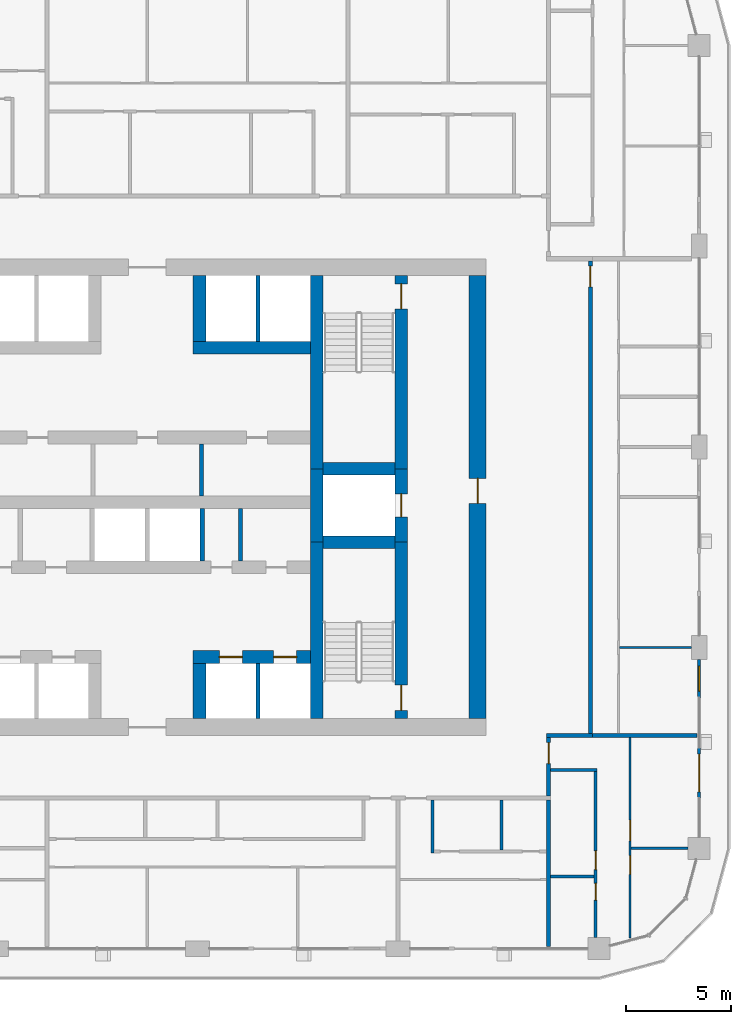
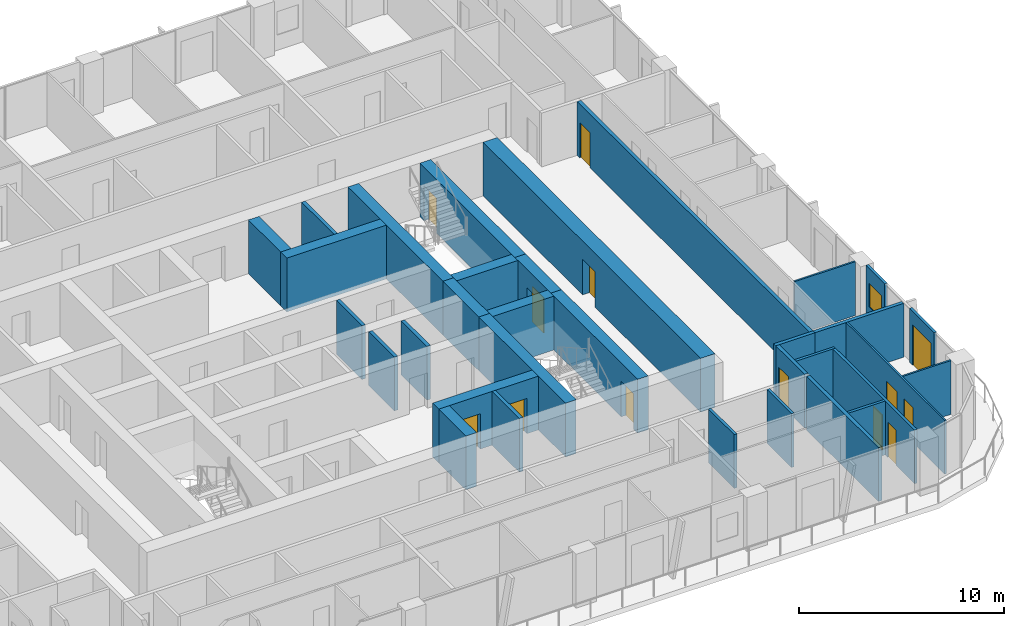
# One storey, part 12 of 22: 33 walls, 13 doors, 1 window, 14 openings.
"""IFC4 building model written with IfcOpenShell, lengths in metres."""

from ifc_helpers import new_model, si_unit, direction, frame, frame_2d, origin, place, context, subcontext, project, spatial, rectangle, extrude, material, layer, layer_set, type_object, element, fill, save


model = new_model("IFC4")

# Units and contexts
model_context = context("Model", 3, precision=1e-05, world=origin(), true_north=direction((0.0, 1.0)))
body_context = subcontext(model_context, "Body", "Model", "MODEL_VIEW")
ifc_project = project(units=[si_unit("LENGTHUNIT", "METRE"), si_unit("AREAUNIT", "SQUARE_METRE"), si_unit("VOLUMEUNIT", "CUBIC_METRE"), si_unit("PLANEANGLEUNIT", "RADIAN"), si_unit("MASSUNIT", "GRAM", prefix="KILO")], contexts=[model_context])

# Site, building, storey
site_placement = place(None, origin())
site = spatial("IfcSite", under=ifc_project, at=site_placement, CompositionType="ELEMENT")
building_placement = place(site_placement, origin())
building = spatial("IfcBuilding", under=site, at=building_placement, Name="Madar Terraces", CompositionType="ELEMENT")
storey_placement = place(building_placement, frame((0.0, 0.0, 122.60009765625)))
storey = spatial("IfcBuildingStorey", under=building, at=storey_placement, Name="L31", CompositionType="ELEMENT", Elevation=122.60009765625)

# Walls
ifc_material_1 = material(Name="Concrete C70/85", Category="concrete")
ifc_layer_1 = layer(ifc_material_1, 0.60009765625)
ifc_layer_set_1 = layer_set([ifc_layer_1], Name="Concrete C70/85 (CIW3 RC wall 600)")
wall_type_1 = type_object("IfcWallType", Name="CIW3 RC wall 600", PredefinedType="SHEAR", material=ifc_layer_set_1)
wall_1_placement = place(storey_placement, frame((39.300048828125, 15.800048828125, 0.0), z_axis=(0.0, 0.0, 1.0), x_axis=(0.0, 1.0, 0.0)))
element("IfcWall", 1, at=wall_1_placement, inside=storey, type_object=wall_type_1, Name="CORE SHAFT WALL", PredefinedType="SHEAR", context=body_context, shape_type="SweptSolid", body=[
    extrude(rectangle(XDim=8.449951171875, YDim=0.60009765625, at=frame_2d((4.22509765625, 0.0))), origin(), (0.0, 0.0, 1.0), 3.199951171875),
])
wall_2_placement = place(storey_placement, frame((39.300048828125, 24.25, 0.0), z_axis=(0.0, 0.0, 1.0), x_axis=(0.0, 1.0, 0.0)))
element("IfcWall", 2, at=wall_2_placement, inside=storey, type_object=wall_type_1, Name="CORE SHAFT WALL", PredefinedType="SHEAR", context=body_context, shape_type="SweptSolid", body=[
    extrude(rectangle(XDim=3.5, YDim=0.60009765625, at=frame_2d((1.75, 0.0))), origin(), (0.0, 0.0, 1.0), 3.199951171875),
])
wall_3_placement = place(storey_placement, frame((39.300048828125, 27.75, 0.0), z_axis=(0.0, 0.0, 1.0), x_axis=(0.0, 1.0, 0.0)))
element("IfcWall", 3, at=wall_3_placement, inside=storey, type_object=wall_type_1, Name="CORE SHAFT WALL", PredefinedType="SHEAR", context=body_context, shape_type="SweptSolid", body=[
    extrude(rectangle(XDim=9.25, YDim=0.60009765625, at=frame_2d((4.625, 0.0))), origin(), (0.0, 0.0, 1.0), 3.199951171875),
])

# Wall, opening, door
wall_4_placement = place(storey_placement, frame((43.35009765625, 15.800048828125, 0.0), z_axis=(0.0, 0.0, 1.0), x_axis=(0.0, 1.0, 0.0)))
wall_4 = element("IfcWall", 4, at=wall_4_placement, inside=storey, type_object=wall_type_1, Name="CORE SHAFT WALL", PredefinedType="SHEAR", context=body_context, shape_type="SweptSolid", body=[
    extrude(rectangle(XDim=8.449951171875, YDim=0.60009765625, at=frame_2d((4.22509765625, 0.0))), origin(), (0.0, 0.0, 1.0), 3.199951171875),
])
opening_1_placement = place(wall_4_placement, frame((0.39990234375, 0.0, 0.0)))
opening_1 = element("IfcOpeningElement", 5, at=opening_1_placement, cuts=wall_4, Name="Opening SD1", PredefinedType="OPENING", context=body_context, shape_type="SweptSolid", body=[
    extrude(rectangle(XDim=1.199951171875, YDim=2.10009765625, at=frame_2d((0.60009765625, 1.050048828125))), frame((0.0, 0.31005859375, 0.0), z_axis=(0.0, -1.0, 0.0), x_axis=(1.0, 0.0, 0.0)), (0.0, 0.0, 1.0), 0.6201171875),
])
ifc_material_2 = material(Name="Steel door leaf", Category="steel")
door_type_1 = type_object("IfcDoorType", Name="Stair door 1200 x 2100", OperationType="NOTDEFINED", PredefinedType="DOOR", material=ifc_material_2)
door_1_placement = place(opening_1_placement, origin())
door_1 = element("IfcDoor", 6, at=door_1_placement, inside=storey, type_object=door_type_1, Name="STAIR DOOR", OperationType="SINGLE_SWING_RIGHT", OverallHeight=2.10009765625, OverallWidth=1.199951171875, PredefinedType="DOOR", context=body_context, shape_type="SweptSolid", body=[
    extrude(rectangle(XDim=1.199951171875, YDim=2.10009765625, at=frame_2d((0.60009765625, 1.050048828125))), frame((0.0, 0.02490234375, 0.0), z_axis=(0.0, -1.0, 0.0), x_axis=(1.0, 0.0, 0.0)), (0.0, 0.0, 1.0), 0.050048828125),
])
fill(opening_1, door_1)

wall_5_placement = place(storey_placement, frame((43.35009765625, 24.25, 0.0), z_axis=(0.0, 0.0, 1.0), x_axis=(0.0, 1.0, 0.0)))
wall_5 = element("IfcWall", 7, at=wall_5_placement, inside=storey, type_object=wall_type_1, Name="CORE SHAFT WALL", PredefinedType="SHEAR", context=body_context, shape_type="SweptSolid", body=[
    extrude(rectangle(XDim=3.5, YDim=0.60009765625, at=frame_2d((1.75, 0.0))), origin(), (0.0, 0.0, 1.0), 3.199951171875),
])
opening_2_placement = place(wall_5_placement, frame((1.199951171875, 0.0, 0.0)))
opening_2 = element("IfcOpeningElement", 8, at=opening_2_placement, cuts=wall_5, Name="Opening LD", PredefinedType="OPENING", context=body_context, shape_type="SweptSolid", body=[
    extrude(rectangle(XDim=1.10009765625, YDim=2.10009765625, at=frame_2d((0.550048828125, 1.050048828125))), frame((0.0, 0.31005859375, 0.0), z_axis=(0.0, -1.0, 0.0), x_axis=(1.0, 0.0, 0.0)), (0.0, 0.0, 1.0), 0.6201171875),
])
ifc_material_3 = material(Name="Stainless steel panel", Category="steel")
door_type_2 = type_object("IfcDoorType", Name="Lift landing door 1100 x 2100", OperationType="DOUBLE_DOOR_SLIDING", PredefinedType="DOOR", material=ifc_material_3)
door_2_placement = place(opening_2_placement, origin())
door_2 = element("IfcDoor", 9, at=door_2_placement, inside=storey, type_object=door_type_2, Name="LIFT LANDING DOOR", OperationType="DOUBLE_DOOR_SLIDING", OverallHeight=2.10009765625, OverallWidth=1.10009765625, PredefinedType="DOOR", context=body_context, shape_type="SweptSolid", body=[
    extrude(rectangle(XDim=1.10009765625, YDim=2.10009765625, at=frame_2d((0.550048828125, 1.050048828125))), frame((0.0, 0.02490234375, 0.0), z_axis=(0.0, -1.0, 0.0), x_axis=(1.0, 0.0, 0.0)), (0.0, 0.0, 1.0), 0.050048828125),
])
fill(opening_2, door_2)

wall_6_placement = place(storey_placement, frame((43.35009765625, 27.75, 0.0), z_axis=(0.0, 0.0, 1.0), x_axis=(0.0, 1.0, 0.0)))
wall_6 = element("IfcWall", 10, at=wall_6_placement, inside=storey, type_object=wall_type_1, Name="CORE SHAFT WALL", PredefinedType="SHEAR", context=body_context, shape_type="SweptSolid", body=[
    extrude(rectangle(XDim=9.25, YDim=0.60009765625, at=frame_2d((4.625, 0.0))), origin(), (0.0, 0.0, 1.0), 3.199951171875),
])
opening_3_placement = place(wall_6_placement, frame((7.64990234375, 0.0, 0.0)))
opening_3 = element("IfcOpeningElement", 11, at=opening_3_placement, cuts=wall_6, Name="Opening SD1", PredefinedType="OPENING", context=body_context, shape_type="SweptSolid", body=[
    extrude(rectangle(XDim=1.199951171875, YDim=2.10009765625, at=frame_2d((0.60009765625, 1.050048828125))), frame((0.0, 0.31005859375, 0.0), z_axis=(0.0, -1.0, 0.0), x_axis=(1.0, 0.0, 0.0)), (0.0, 0.0, 1.0), 0.6201171875),
])
door_3_placement = place(opening_3_placement, origin())
door_3 = element("IfcDoor", 12, at=door_3_placement, inside=storey, type_object=door_type_1, Name="STAIR DOOR", OperationType="SINGLE_SWING_LEFT", OverallHeight=2.10009765625, OverallWidth=1.199951171875, PredefinedType="DOOR", context=body_context, shape_type="SweptSolid", body=[
    extrude(rectangle(XDim=1.199951171875, YDim=2.10009765625, at=frame_2d((0.60009765625, 1.050048828125))), frame((0.0, 0.02490234375, 0.0), z_axis=(0.0, -1.0, 0.0), x_axis=(1.0, 0.0, 0.0)), (0.0, 0.0, 1.0), 0.050048828125),
])
fill(opening_3, door_3)

# Walls
for number, where, z_axis, x_axis, name in (
    (13, (39.60009765625, 24.25, 0.0), (0.0, 0.0, 1.0), (1.0, 0.0, 0.0), "CORE SHAFT WALL"),
    (14, (39.60009765625, 27.75, 0.0), (0.0, 0.0, 1.0), (1.0, 0.0, 0.0), "CORE SHAFT WALL"),
):
    element("IfcWall", number, at=place(storey_placement, frame(where, z_axis=z_axis, x_axis=x_axis)), inside=storey, type_object=wall_type_1, Name=name, PredefinedType="SHEAR", context=body_context, shape_type="SweptSolid", body=[
        extrude(rectangle(XDim=3.449951171875, YDim=0.60009765625, at=frame_2d((1.72509765625, 0.0))), origin(), (0.0, 0.0, 1.0), 3.199951171875),
    ])

# Wall, openings, doors
wall_7_placement = place(storey_placement, frame((33.39990234375, 18.75, 0.0), z_axis=(0.0, 0.0, 1.0), x_axis=(1.0, 0.0, 0.0)))
wall_7 = element("IfcWall", 15, at=wall_7_placement, inside=storey, type_object=wall_type_1, Name="CORE SHAFT WALL", PredefinedType="SHEAR", context=body_context, shape_type="SweptSolid", body=[
    extrude(rectangle(XDim=5.60009765625, YDim=0.60009765625, at=frame_2d((2.800048828125, 0.0))), origin(), (0.0, 0.0, 1.0), 3.199951171875),
])
opening_4_placement = place(wall_7_placement, frame((1.25, 0.0, 0.0)))
opening_4 = element("IfcOpeningElement", 16, at=opening_4_placement, cuts=wall_7, Name="Opening LD", PredefinedType="OPENING", context=body_context, shape_type="SweptSolid", body=[
    extrude(rectangle(XDim=1.10009765625, YDim=2.10009765625, at=frame_2d((0.550048828125, 1.050048828125))), frame((0.0, 0.31005859375, 0.0), z_axis=(0.0, -1.0, 0.0), x_axis=(1.0, 0.0, 0.0)), (0.0, 0.0, 1.0), 0.6201171875),
])
opening_5_placement = place(wall_7_placement, frame((3.85009765625, 0.0, 0.0)))
opening_5 = element("IfcOpeningElement", 17, at=opening_5_placement, cuts=wall_7, Name="Opening LD", PredefinedType="OPENING", context=body_context, shape_type="SweptSolid", body=[
    extrude(rectangle(XDim=1.10009765625, YDim=2.10009765625, at=frame_2d((0.550048828125, 1.050048828125))), frame((0.0, 0.31005859375, 0.0), z_axis=(0.0, -1.0, 0.0), x_axis=(1.0, 0.0, 0.0)), (0.0, 0.0, 1.0), 0.6201171875),
])
door_4_placement = place(opening_4_placement, origin())
door_4 = element("IfcDoor", 18, at=door_4_placement, inside=storey, type_object=door_type_2, Name="LIFT LANDING DOOR", OperationType="DOUBLE_DOOR_SLIDING", OverallHeight=2.10009765625, OverallWidth=1.10009765625, PredefinedType="DOOR", context=body_context, shape_type="SweptSolid", body=[
    extrude(rectangle(XDim=1.10009765625, YDim=2.10009765625, at=frame_2d((0.550048828125, 1.050048828125))), frame((0.0, 0.02490234375, 0.0), z_axis=(0.0, -1.0, 0.0), x_axis=(1.0, 0.0, 0.0)), (0.0, 0.0, 1.0), 0.050048828125),
])
fill(opening_4, door_4)
door_5_placement = place(opening_5_placement, origin())
door_5 = element("IfcDoor", 19, at=door_5_placement, inside=storey, type_object=door_type_2, Name="LIFT LANDING DOOR", OperationType="DOUBLE_DOOR_SLIDING", OverallHeight=2.10009765625, OverallWidth=1.10009765625, PredefinedType="DOOR", context=body_context, shape_type="SweptSolid", body=[
    extrude(rectangle(XDim=1.10009765625, YDim=2.10009765625, at=frame_2d((0.550048828125, 1.050048828125))), frame((0.0, 0.02490234375, 0.0), z_axis=(0.0, -1.0, 0.0), x_axis=(1.0, 0.0, 0.0)), (0.0, 0.0, 1.0), 0.050048828125),
])
fill(opening_5, door_5)

# Walls
wall_8_placement = place(storey_placement, frame((33.39990234375, 33.550048828125, 0.0), z_axis=(0.0, 0.0, 1.0), x_axis=(1.0, 0.0, 0.0)))
element("IfcWall", 20, at=wall_8_placement, inside=storey, type_object=wall_type_1, Name="CORE SHAFT WALL", PredefinedType="SHEAR", context=body_context, shape_type="SweptSolid", body=[
    extrude(rectangle(XDim=5.60009765625, YDim=0.60009765625, at=frame_2d((2.800048828125, 0.0))), origin(), (0.0, 0.0, 1.0), 3.199951171875),
])
wall_9_placement = place(storey_placement, frame((33.699951171875, 15.800048828125, 0.0), z_axis=(0.0, 0.0, 1.0), x_axis=(0.0, 1.0, 0.0)))
element("IfcWall", 21, at=wall_9_placement, inside=storey, type_object=wall_type_1, Name="CORE SHAFT WALL", PredefinedType="SHEAR", context=body_context, shape_type="SweptSolid", body=[
    extrude(rectangle(XDim=2.64990234375, YDim=0.60009765625, at=frame_2d((1.324951171875, 0.0))), origin(), (0.0, 0.0, 1.0), 3.199951171875),
])
wall_10_placement = place(storey_placement, frame((33.699951171875, 33.85009765625, 0.0), z_axis=(0.0, 0.0, 1.0), x_axis=(0.0, 1.0, 0.0)))
element("IfcWall", 22, at=wall_10_placement, inside=storey, type_object=wall_type_1, Name="CORE SHAFT WALL", PredefinedType="SHEAR", context=body_context, shape_type="SweptSolid", body=[
    extrude(rectangle(XDim=3.14990234375, YDim=0.60009765625, at=frame_2d((1.574951171875, 0.0))), origin(), (0.0, 0.0, 1.0), 3.199951171875),
])

# Wall, opening, door
ifc_material_4 = material(Name="Concrete C70/85", Category="concrete")
ifc_layer_2 = layer(ifc_material_4, 0.800048828125)
ifc_layer_set_2 = layer_set([ifc_layer_2], Name="Concrete C70/85 (CRW3 RC wall 800)")
wall_type_2 = type_object("IfcWallType", Name="CRW3 RC wall 800", PredefinedType="SHEAR", material=ifc_layer_set_2)
wall_11_placement = place(storey_placement, frame((47.0, 15.800048828125, 0.0), z_axis=(0.0, 0.0, 1.0), x_axis=(0.0, 1.0, 0.0)))
wall_11 = element("IfcWall", 23, at=wall_11_placement, inside=storey, type_object=wall_type_2, Name="CORE OUTER WALL", PredefinedType="SHEAR", context=body_context, shape_type="SweptSolid", body=[
    extrude(rectangle(XDim=21.199951171875, YDim=0.800048828125, at=frame_2d((10.60009765625, 0.0))), origin(), (0.0, 0.0, 1.0), 3.199951171875),
])
opening_6_placement = place(wall_11_placement, frame((10.300048828125, 0.0, 0.0)))
opening_6 = element("IfcOpeningElement", 24, at=opening_6_placement, cuts=wall_11, Name="Opening SD1", PredefinedType="OPENING", context=body_context, shape_type="SweptSolid", body=[
    extrude(rectangle(XDim=1.199951171875, YDim=2.10009765625, at=frame_2d((0.60009765625, 1.050048828125))), frame((0.0, 0.409912109375, 0.0), z_axis=(0.0, -1.0, 0.0), x_axis=(1.0, 0.0, 0.0)), (0.0, 0.0, 1.0), 0.820068359375),
])
door_6_placement = place(opening_6_placement, origin())
door_6 = element("IfcDoor", 25, at=door_6_placement, inside=storey, type_object=door_type_1, Name="STAIR DOOR", OperationType="SINGLE_SWING_LEFT", OverallHeight=2.10009765625, OverallWidth=1.199951171875, PredefinedType="DOOR", context=body_context, shape_type="SweptSolid", body=[
    extrude(rectangle(XDim=1.199951171875, YDim=2.10009765625, at=frame_2d((0.60009765625, 1.050048828125))), frame((0.0, 0.02490234375, 0.0), z_axis=(0.0, -1.0, 0.0), x_axis=(1.0, 0.0, 0.0)), (0.0, 0.0, 1.0), 0.050048828125),
])
fill(opening_6, door_6)

# Walls
ifc_material_5 = material(Name="Masonry blockwork", Category="masonry")
ifc_layer_3 = layer(ifc_material_5, 0.199951171875)
ifc_layer_set_3 = layer_set([ifc_layer_3], Name="Core partition 200 blockwork")
wall_type_3 = type_object("IfcWallType", Name="Core partition 200 blockwork", PredefinedType="PARTITIONING", material=ifc_layer_set_3)
for number, where, z_axis, x_axis, name in (
    (26, (35.656005859375, 23.35009765625, 0.0), (0.0, 0.0, 1.0), (0.0, 1.0, 0.0), "SERVICE ROOM PARTITION"),
    (27, (33.800048828125, 26.449951171875, 0.0), (0.0, 0.0, 1.0), (0.0, 1.0, 0.0), "SERVICE ROOM PARTITION"),
):
    element("IfcWall", number, at=place(storey_placement, frame(where, z_axis=z_axis, x_axis=x_axis)), inside=storey, type_object=wall_type_3, Name=name, PredefinedType="PARTITIONING", context=body_context, shape_type="SweptSolid", body=[
        extrude(rectangle(XDim=2.5, YDim=0.199951171875, at=frame_2d((1.25, 0.0))), origin(), (0.0, 0.0, 1.0), 3.199951171875),
    ])
ifc_material_6 = material(Name="Concrete C40/50", Category="concrete")
ifc_layer_4 = layer(ifc_material_6, 0.199951171875)
ifc_layer_set_4 = layer_set([ifc_layer_4], Name="Core shaft dividing wall 200 C40/50")
wall_type_4 = type_object("IfcWallType", Name="Core shaft dividing wall 200 C40/50", PredefinedType="SOLIDWALL", material=ifc_layer_set_4)
wall_12_placement = place(storey_placement, frame((33.833251953125, 23.35009765625, 0.0), z_axis=(0.0, 0.0, 1.0), x_axis=(0.0, 1.0, 0.0)))
element("IfcWall", 28, at=wall_12_placement, inside=storey, type_object=wall_type_4, Name="SHAFT DIVIDING WALL", PredefinedType="SOLIDWALL", context=body_context, shape_type="SweptSolid", body=[
    extrude(rectangle(XDim=2.5, YDim=0.199951171875, at=frame_2d((1.25, 0.0))), origin(), (0.0, 0.0, 1.0), 3.199951171875),
])
wall_13_placement = place(storey_placement, frame((36.5, 15.800048828125, 0.0), z_axis=(0.0, 0.0, 1.0), x_axis=(0.0, 1.0, 0.0)))
element("IfcWall", 29, at=wall_13_placement, inside=storey, type_object=wall_type_4, Name="SHAFT DIVIDING WALL", PredefinedType="SOLIDWALL", context=body_context, shape_type="SweptSolid", body=[
    extrude(rectangle(XDim=2.64990234375, YDim=0.199951171875, at=frame_2d((1.324951171875, 0.0))), origin(), (0.0, 0.0, 1.0), 3.199951171875),
])
wall_14_placement = place(storey_placement, frame((36.5, 33.85009765625, 0.0), z_axis=(0.0, 0.0, 1.0), x_axis=(0.0, 1.0, 0.0)))
element("IfcWall", 30, at=wall_14_placement, inside=storey, type_object=wall_type_4, Name="SHAFT DIVIDING WALL", PredefinedType="SOLIDWALL", context=body_context, shape_type="SweptSolid", body=[
    extrude(rectangle(XDim=3.14990234375, YDim=0.199951171875, at=frame_2d((1.574951171875, 0.0))), origin(), (0.0, 0.0, 1.0), 3.199951171875),
])

# Wall, opening, door
ifc_material_7 = material(Name="Aluminium composite panel, black, over insulated backing", Category="aluminium")
ifc_layer_5 = layer(ifc_material_7, 0.14990234375)
ifc_layer_set_5 = layer_set([ifc_layer_5], Name="Facade bay panel 150")
wall_type_5 = type_object("IfcWallType", Name="Facade bay panel 150", PredefinedType="SOLIDWALL", material=ifc_layer_set_5)
wall_15_placement = place(storey_placement, frame((57.60009765625, 12.0, 0.0), z_axis=(0.0, 0.0, 1.0), x_axis=(0.0, 1.0, 0.0)))
wall_15 = element("IfcWall", 31, at=wall_15_placement, inside=storey, type_object=wall_type_5, Name="Facade bay panel", PredefinedType="SOLIDWALL", context=body_context, shape_type="SweptSolid", body=[
    extrude(rectangle(XDim=2.39990234375, YDim=0.14990234375, at=frame_2d((1.199951171875, 0.0))), origin(), (0.0, 0.0, 1.0), 3.199951171875),
])
opening_7_placement = place(wall_15_placement, frame((0.300048828125, 0.0, 0.0)))
opening_7 = element("IfcOpeningElement", 32, at=opening_7_placement, cuts=wall_15, Name="Opening ED1", PredefinedType="OPENING", context=body_context, shape_type="SweptSolid", body=[
    extrude(rectangle(XDim=1.800048828125, YDim=2.39990234375, at=frame_2d((0.89990234375, 1.199951171875))), frame((0.0, 0.0849609375, 0.0), z_axis=(0.0, -1.0, 0.0), x_axis=(1.0, 0.0, 0.0)), (0.0, 0.0, 1.0), 0.169921875),
])
ifc_material_8 = material(Name="Glass, clear, with black aluminium frame", Category="aluminium")
door_type_3 = type_object("IfcDoorType", Name="Balcony and terrace sliding door 1800 x 2400", OperationType="SLIDING_TO_LEFT", PredefinedType="DOOR", material=ifc_material_8)
door_7_placement = place(opening_7_placement, origin())
door_7 = element("IfcDoor", 33, at=door_7_placement, inside=storey, type_object=door_type_3, Name="Balcony door", OperationType="SLIDING_TO_LEFT", OverallHeight=2.39990234375, OverallWidth=1.800048828125, PredefinedType="DOOR", context=body_context, shape_type="SweptSolid", body=[
    extrude(rectangle(XDim=1.800048828125, YDim=2.39990234375, at=frame_2d((0.89990234375, 1.199951171875))), frame((0.0, 0.02490234375, 0.0), z_axis=(0.0, -1.0, 0.0), x_axis=(1.0, 0.0, 0.0)), (0.0, 0.0, 1.0), 0.050048828125),
])
fill(opening_7, door_7)

# Wall, opening, window
wall_16_placement = place(storey_placement, frame((57.60009765625, 16.800048828125, 0.0), z_axis=(0.0, 0.0, 1.0), x_axis=(0.0, 1.0, 0.0)))
wall_16 = element("IfcWall", 34, at=wall_16_placement, inside=storey, type_object=wall_type_5, Name="Facade bay panel", PredefinedType="SOLIDWALL", context=body_context, shape_type="SweptSolid", body=[
    extrude(rectangle(XDim=1.824951171875, YDim=0.14990234375, at=frame_2d((0.91259765625, 0.0))), origin(), (0.0, 0.0, 1.0), 3.199951171875),
])
opening_8_placement = place(wall_16_placement, frame((0.3125, 0.0, 0.89990234375)))
opening_8 = element("IfcOpeningElement", 35, at=opening_8_placement, cuts=wall_16, Name="Opening W1", PredefinedType="OPENING", context=body_context, shape_type="SweptSolid", body=[
    extrude(rectangle(XDim=1.199951171875, YDim=1.39990234375, at=frame_2d((0.60009765625, 0.699951171875))), frame((0.0, 0.0849609375, 0.0), z_axis=(0.0, -1.0, 0.0), x_axis=(1.0, 0.0, 0.0)), (0.0, 0.0, 1.0), 0.169921875),
])
ifc_material_9 = material(Name="Glass, clear, with black aluminium frame", Category="aluminium")
window_type = type_object("IfcWindowType", Name="Vent window 1200 x 1400", PartitioningType="SINGLE_PANEL", PredefinedType="WINDOW", material=ifc_material_9)
window_placement = place(opening_8_placement, origin())
window = element("IfcWindow", 36, at=window_placement, inside=storey, type_object=window_type, Name="Operable vent window", OverallHeight=1.39990234375, OverallWidth=1.199951171875, PartitioningType="SINGLE_PANEL", PredefinedType="WINDOW", context=body_context, shape_type="SweptSolid", body=[
    extrude(rectangle(XDim=1.199951171875, YDim=1.39990234375, at=frame_2d((0.60009765625, 0.699951171875))), frame((0.0, 0.030029296875, 0.0), z_axis=(0.0, -1.0, 0.0), x_axis=(1.0, 0.0, 0.0)), (0.0, 0.0, 1.0), 0.06005859375),
])
fill(opening_8, window)

# Wall
ifc_material_10 = material(Name="Gypsum board on steel studs", Category="steel")
ifc_layer_6 = layer(ifc_material_10, 0.10009765625)
ifc_layer_set_6 = layer_set([ifc_layer_6], Name="Flat partition 100")
wall_type_6 = type_object("IfcWallType", Name="Flat partition 100", PredefinedType="PARTITIONING", material=ifc_layer_set_6)
wall_17_placement = place(storey_placement, frame((54.35009765625, 9.60009765625, 0.0), z_axis=(0.0, 0.0, 1.0), x_axis=(1.0, 0.0, 0.0)))
element("IfcWall", 37, at=wall_17_placement, inside=storey, type_object=wall_type_6, Name="Flat partition 100", PredefinedType="PARTITIONING", context=body_context, shape_type="SweptSolid", body=[
    extrude(rectangle(XDim=2.724853515625, YDim=0.10009765625, at=frame_2d((1.3623046875, 0.0))), origin(), (0.0, 0.0, 1.0), 3.199951171875),
])

# Wall, openings, doors
wall_18_placement = place(storey_placement, frame((54.300048828125, 14.89990234375, 0.0), z_axis=(0.0, 0.0, 1.0), x_axis=(0.0, -1.0, 0.0)))
wall_18 = element("IfcWall", 38, at=wall_18_placement, inside=storey, type_object=wall_type_6, Name="Flat partition 100", PredefinedType="PARTITIONING", context=body_context, shape_type="SweptSolid", body=[
    extrude(rectangle(XDim=9.597900390625, YDim=0.10009765625, at=frame_2d((4.798828125, 0.0))), origin(), (0.0, 0.0, 1.0), 3.199951171875),
])
opening_9_placement = place(wall_18_placement, frame((3.949951171875, 0.0, 0.0)))
opening_9 = element("IfcOpeningElement", 39, at=opening_9_placement, cuts=wall_18, Name="Opening D3", PredefinedType="OPENING", context=body_context, shape_type="SweptSolid", body=[
    extrude(rectangle(XDim=1.0, YDim=2.10009765625, at=frame_2d((0.5, 1.050048828125))), frame((0.0, 0.06005859375, 0.0), z_axis=(0.0, -1.0, 0.0), x_axis=(1.0, 0.0, 0.0)), (0.0, 0.0, 1.0), 0.1201171875),
])
opening_10_placement = place(wall_18_placement, frame((5.64990234375, 0.0, 0.0)))
opening_10 = element("IfcOpeningElement", 40, at=opening_10_placement, cuts=wall_18, Name="Opening D2", PredefinedType="OPENING", context=body_context, shape_type="SweptSolid", body=[
    extrude(rectangle(XDim=0.89990234375, YDim=2.10009765625, at=frame_2d((0.449951171875, 1.050048828125))), frame((0.0, 0.06005859375, 0.0), z_axis=(0.0, -1.0, 0.0), x_axis=(1.0, 0.0, 0.0)), (0.0, 0.0, 1.0), 0.1201171875),
])
ifc_material_11 = material(Name="Timber door leaf", Category="wood")
door_type_4 = type_object("IfcDoorType", Name="Flat living room door 1000", OperationType="NOTDEFINED", PredefinedType="DOOR", material=ifc_material_11)
door_8_placement = place(opening_9_placement, origin())
door_8 = element("IfcDoor", 41, at=door_8_placement, inside=storey, type_object=door_type_4, Name="Flat living room door 1000", OperationType="SINGLE_SWING_RIGHT", OverallHeight=2.10009765625, OverallWidth=1.0, PredefinedType="DOOR", context=body_context, shape_type="SweptSolid", body=[
    extrude(rectangle(XDim=1.0, YDim=2.10009765625, at=frame_2d((0.5, 1.050048828125))), frame((0.0, 0.02490234375, 0.0), z_axis=(0.0, -1.0, 0.0), x_axis=(1.0, 0.0, 0.0)), (0.0, 0.0, 1.0), 0.050048828125),
])
fill(opening_9, door_8)
ifc_material_12 = material(Name="Timber door leaf", Category="wood")
door_type_5 = type_object("IfcDoorType", Name="Flat room door 900", OperationType="NOTDEFINED", PredefinedType="DOOR", material=ifc_material_12)
door_9_placement = place(opening_10_placement, origin())
door_9 = element("IfcDoor", 42, at=door_9_placement, inside=storey, type_object=door_type_5, Name="Flat room door 900", OperationType="SINGLE_SWING_LEFT", OverallHeight=2.10009765625, OverallWidth=0.89990234375, PredefinedType="DOOR", context=body_context, shape_type="SweptSolid", body=[
    extrude(rectangle(XDim=0.89990234375, YDim=2.10009765625, at=frame_2d((0.449951171875, 1.050048828125))), frame((0.0, 0.02490234375, 0.0), z_axis=(0.0, -1.0, 0.0), x_axis=(1.0, 0.0, 0.0)), (0.0, 0.0, 1.0), 0.050048828125),
])
fill(opening_10, door_9)

# Wall
wall_19_placement = place(storey_placement, frame((53.800048828125, 19.199951171875, 0.0), z_axis=(0.0, 0.0, 1.0), x_axis=(1.0, 0.0, 0.0)))
element("IfcWall", 43, at=wall_19_placement, inside=storey, type_object=wall_type_6, Name="Flat partition 100", PredefinedType="PARTITIONING", context=body_context, shape_type="SweptSolid", body=[
    extrude(rectangle(XDim=3.425048828125, YDim=0.10009765625, at=frame_2d((1.71240234375, 0.0))), origin(), (0.0, 0.0, 1.0), 3.199951171875),
])

# Wall, opening, door
ifc_material_13 = material(Name="Lightweight blockwork", Category="masonry")
ifc_layer_7 = layer(ifc_material_13, 0.199951171875)
ifc_layer_set_7 = layer_set([ifc_layer_7], Name="Flat party and entrance wall 200")
wall_type_7 = type_object("IfcWallType", Name="Flat party and entrance wall 200", PredefinedType="PARTITIONING", material=ifc_layer_set_7)
wall_20_placement = place(storey_placement, frame((50.39990234375, 14.89990234375, 0.0), z_axis=(0.0, 0.0, 1.0), x_axis=(0.0, -1.0, 0.0)))
wall_20 = element("IfcWall", 44, at=wall_20_placement, inside=storey, type_object=wall_type_7, Name="Flat party and entrance wall 200", PredefinedType="PARTITIONING", context=body_context, shape_type="SweptSolid", body=[
    extrude(rectangle(XDim=2.7998046875, YDim=0.199951171875, at=frame_2d((1.39990234375, 0.0))), origin(), (0.0, 0.0, 1.0), 3.199951171875),
])
opening_11_placement = place(wall_20_placement, frame((0.25, 0.0, 0.0)))
opening_11 = element("IfcOpeningElement", 45, at=opening_11_placement, cuts=wall_20, Name="Opening D1", PredefinedType="OPENING", context=body_context, shape_type="SweptSolid", body=[
    extrude(rectangle(XDim=1.0, YDim=2.10009765625, at=frame_2d((0.5, 1.050048828125))), frame((0.0, 0.10986328125, 0.0), z_axis=(0.0, -1.0, 0.0), x_axis=(1.0, 0.0, 0.0)), (0.0, 0.0, 1.0), 0.219970703125),
])
ifc_material_14 = material(Name="Timber fire door leaf", Category="wood")
door_type_6 = type_object("IfcDoorType", Name="Flat entrance door 1000 FD30S", OperationType="NOTDEFINED", PredefinedType="DOOR", material=ifc_material_14)
door_10_placement = place(opening_11_placement, origin())
door_10 = element("IfcDoor", 46, at=door_10_placement, inside=storey, type_object=door_type_6, Name="Flat entrance door 1000 FD30S", OperationType="SINGLE_SWING_LEFT", OverallHeight=2.10009765625, OverallWidth=1.0, PredefinedType="DOOR", context=body_context, shape_type="SweptSolid", body=[
    extrude(rectangle(XDim=1.0, YDim=2.10009765625, at=frame_2d((0.5, 1.050048828125))), frame((0.0, 0.02490234375, 0.0), z_axis=(0.0, -1.0, 0.0), x_axis=(1.0, 0.0, 0.0)), (0.0, 0.0, 1.0), 0.050048828125),
])
fill(opening_11, door_10)

# Wall
wall_21_placement = place(storey_placement, frame((50.300048828125, 15.0, 0.0), z_axis=(0.0, 0.0, 1.0), x_axis=(1.0, 0.0, 0.0)))
element("IfcWall", 47, at=wall_21_placement, inside=storey, type_object=wall_type_7, Name="Flat party and entrance wall 200", PredefinedType="PARTITIONING", context=body_context, shape_type="SweptSolid", body=[
    extrude(rectangle(XDim=2.199951171875, YDim=0.199951171875, at=frame_2d((1.10009765625, 0.0))), origin(), (0.0, 0.0, 1.0), 3.199951171875),
])

# Wall, opening, door
wall_22_placement = place(storey_placement, frame((52.39990234375, 37.699951171875, 0.0), z_axis=(0.0, 0.0, 1.0), x_axis=(0.0, -1.0, 0.0)))
wall_22 = element("IfcWall", 48, at=wall_22_placement, inside=storey, type_object=wall_type_7, Name="Flat party and entrance wall 200", PredefinedType="PARTITIONING", context=body_context, shape_type="SweptSolid", body=[
    extrude(rectangle(XDim=22.599853515625, YDim=0.199951171875, at=frame_2d((11.2998046875, 0.0))), origin(), (0.0, 0.0, 1.0), 3.199951171875),
])
opening_12_placement = place(wall_22_placement, frame((0.25, 0.0, 0.0)))
opening_12 = element("IfcOpeningElement", 49, at=opening_12_placement, cuts=wall_22, Name="Opening D1", PredefinedType="OPENING", context=body_context, shape_type="SweptSolid", body=[
    extrude(rectangle(XDim=1.0, YDim=2.10009765625, at=frame_2d((0.5, 1.050048828125))), frame((0.0, 0.10986328125, 0.0), z_axis=(0.0, -1.0, 0.0), x_axis=(1.0, 0.0, 0.0)), (0.0, 0.0, 1.0), 0.219970703125),
])
door_11_placement = place(opening_12_placement, origin())
door_11 = element("IfcDoor", 50, at=door_11_placement, inside=storey, type_object=door_type_6, Name="Flat entrance door 1000 FD30S", OperationType="SINGLE_SWING_LEFT", OverallHeight=2.10009765625, OverallWidth=1.0, PredefinedType="DOOR", context=body_context, shape_type="SweptSolid", body=[
    extrude(rectangle(XDim=1.0, YDim=2.10009765625, at=frame_2d((0.5, 1.050048828125))), frame((0.0, 0.02490234375, 0.0), z_axis=(0.0, -1.0, 0.0), x_axis=(1.0, 0.0, 0.0)), (0.0, 0.0, 1.0), 0.050048828125),
])
fill(opening_12, door_11)

# Walls
wall_23_placement = place(storey_placement, frame((50.39990234375, 11.89990234375, 0.0), z_axis=(0.0, 0.0, 1.0), x_axis=(0.0, -1.0, 0.0)))
element("IfcWall", 51, at=wall_23_placement, inside=storey, type_object=wall_type_7, Name="Flat party and entrance wall 200", PredefinedType="PARTITIONING", context=body_context, shape_type="SweptSolid", body=[
    extrude(rectangle(XDim=7.0, YDim=0.199951171875, at=frame_2d((3.5, 0.0))), origin(), (0.0, 0.0, 1.0), 3.199951171875),
])
wall_24_placement = place(storey_placement, frame((52.5, 15.0, 0.0), z_axis=(0.0, 0.0, 1.0), x_axis=(1.0, 0.0, 0.0)))
element("IfcWall", 52, at=wall_24_placement, inside=storey, type_object=wall_type_7, Name="Flat party and entrance wall 200", PredefinedType="PARTITIONING", context=body_context, shape_type="SweptSolid", body=[
    extrude(rectangle(XDim=5.0, YDim=0.199951171875, at=frame_2d((2.5, 0.0))), origin(), (0.0, 0.0, 1.0), 3.199951171875),
])
ifc_material_15 = material(Name="Lightweight blockwork", Category="masonry")
ifc_layer_8 = layer(ifc_material_15, 0.14990234375)
ifc_layer_set_8 = layer_set([ifc_layer_8], Name="Flat wet-room partition 150")
wall_type_8 = type_object("IfcWallType", Name="Flat wet-room partition 150", PredefinedType="PARTITIONING", material=ifc_layer_set_8)
wall_25_placement = place(storey_placement, frame((48.14990234375, 11.89990234375, 0.0), z_axis=(0.0, 0.0, 1.0), x_axis=(0.0, -1.0, 0.0)))
element("IfcWall", 53, at=wall_25_placement, inside=storey, type_object=wall_type_8, Name="Flat wet-room partition 150", PredefinedType="PARTITIONING", context=body_context, shape_type="SweptSolid", body=[
    extrude(rectangle(XDim=2.375, YDim=0.14990234375, at=frame_2d((1.1875, 0.0))), origin(), (0.0, 0.0, 1.0), 3.199951171875),
])
wall_26_placement = place(storey_placement, frame((44.85009765625, 11.89990234375, 0.0), z_axis=(0.0, 0.0, 1.0), x_axis=(0.0, -1.0, 0.0)))
element("IfcWall", 54, at=wall_26_placement, inside=storey, type_object=wall_type_8, Name="Flat wet-room partition 150", PredefinedType="PARTITIONING", context=body_context, shape_type="SweptSolid", body=[
    extrude(rectangle(XDim=2.52490234375, YDim=0.14990234375, at=frame_2d((1.262451171875, 0.0))), origin(), (0.0, 0.0, 1.0), 3.199951171875),
])
wall_27_placement = place(storey_placement, frame((50.5, 8.25, 0.0), z_axis=(0.0, 0.0, 1.0), x_axis=(1.0, 0.0, 0.0)))
element("IfcWall", 55, at=wall_27_placement, inside=storey, type_object=wall_type_8, Name="Flat wet-room partition 150", PredefinedType="PARTITIONING", context=body_context, shape_type="SweptSolid", body=[
    extrude(rectangle(XDim=2.074951171875, YDim=0.14990234375, at=frame_2d((1.03759765625, 0.0))), origin(), (0.0, 0.0, 1.0), 3.199951171875),
])
wall_28_placement = place(storey_placement, frame((50.5, 13.35009765625, 0.0), z_axis=(0.0, 0.0, 1.0), x_axis=(1.0, 0.0, 0.0)))
element("IfcWall", 56, at=wall_28_placement, inside=storey, type_object=wall_type_8, Name="Flat wet-room partition 150", PredefinedType="PARTITIONING", context=body_context, shape_type="SweptSolid", body=[
    extrude(rectangle(XDim=2.22509765625, YDim=0.14990234375, at=frame_2d((1.112548828125, 0.0))), origin(), (0.0, 0.0, 1.0), 3.199951171875),
])

# Wall, openings, doors
wall_29_placement = place(storey_placement, frame((52.64990234375, 5.324951171875, 0.0), z_axis=(0.0, 0.0, 1.0), x_axis=(0.0, 1.0, 0.0)))
wall_29 = element("IfcWall", 57, at=wall_29_placement, inside=storey, type_object=wall_type_8, Name="Flat wet-room partition 150", PredefinedType="PARTITIONING", context=body_context, shape_type="SweptSolid", body=[
    extrude(rectangle(XDim=7.949951171875, YDim=0.14990234375, at=frame_2d((3.97509765625, 0.0))), origin(), (0.0, 0.0, 1.0), 3.199951171875),
])
opening_13_placement = place(wall_29_placement, frame((3.25, 0.0, 0.0)))
opening_13 = element("IfcOpeningElement", 58, at=opening_13_placement, cuts=wall_29, Name="Opening D2", PredefinedType="OPENING", context=body_context, shape_type="SweptSolid", body=[
    extrude(rectangle(XDim=0.89990234375, YDim=2.10009765625, at=frame_2d((0.449951171875, 1.050048828125))), frame((0.0, 0.0849609375, 0.0), z_axis=(0.0, -1.0, 0.0), x_axis=(1.0, 0.0, 0.0)), (0.0, 0.0, 1.0), 0.169921875),
])
opening_14_placement = place(wall_29_placement, frame((1.800048828125, 0.0, 0.0)))
opening_14 = element("IfcOpeningElement", 59, at=opening_14_placement, cuts=wall_29, Name="Opening D4", PredefinedType="OPENING", context=body_context, shape_type="SweptSolid", body=[
    extrude(rectangle(XDim=0.800048828125, YDim=2.10009765625, at=frame_2d((0.39990234375, 1.050048828125))), frame((0.0, 0.0849609375, 0.0), z_axis=(0.0, -1.0, 0.0), x_axis=(1.0, 0.0, 0.0)), (0.0, 0.0, 1.0), 0.169921875),
])
ifc_material_16 = material(Name="Timber door leaf", Category="wood")
door_type_7 = type_object("IfcDoorType", Name="Flat bathroom door 800", OperationType="NOTDEFINED", PredefinedType="DOOR", material=ifc_material_16)
door_12_placement = place(opening_14_placement, origin())
door_12 = element("IfcDoor", 60, at=door_12_placement, inside=storey, type_object=door_type_7, Name="Flat bathroom door 800", OperationType="SINGLE_SWING_RIGHT", OverallHeight=2.10009765625, OverallWidth=0.800048828125, PredefinedType="DOOR", context=body_context, shape_type="SweptSolid", body=[
    extrude(rectangle(XDim=0.800048828125, YDim=2.10009765625, at=frame_2d((0.39990234375, 1.050048828125))), frame((0.0, 0.02490234375, 0.0), z_axis=(0.0, -1.0, 0.0), x_axis=(1.0, 0.0, 0.0)), (0.0, 0.0, 1.0), 0.050048828125),
])
fill(opening_14, door_12)
door_13_placement = place(opening_13_placement, origin())
door_13 = element("IfcDoor", 61, at=door_13_placement, inside=storey, type_object=door_type_5, Name="Flat room door 900", OperationType="SINGLE_SWING_LEFT", OverallHeight=2.10009765625, OverallWidth=0.89990234375, PredefinedType="DOOR", context=body_context, shape_type="SweptSolid", body=[
    extrude(rectangle(XDim=0.89990234375, YDim=2.10009765625, at=frame_2d((0.449951171875, 1.050048828125))), frame((0.0, 0.02490234375, 0.0), z_axis=(0.0, -1.0, 0.0), x_axis=(1.0, 0.0, 0.0)), (0.0, 0.0, 1.0), 0.050048828125),
])
fill(opening_13, door_13)

save(model, "model.ifc")
